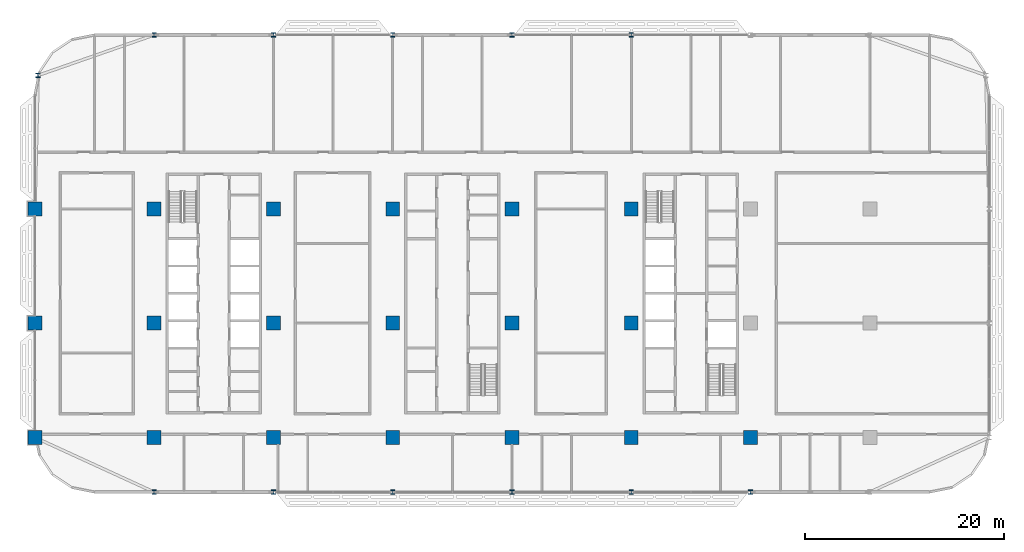
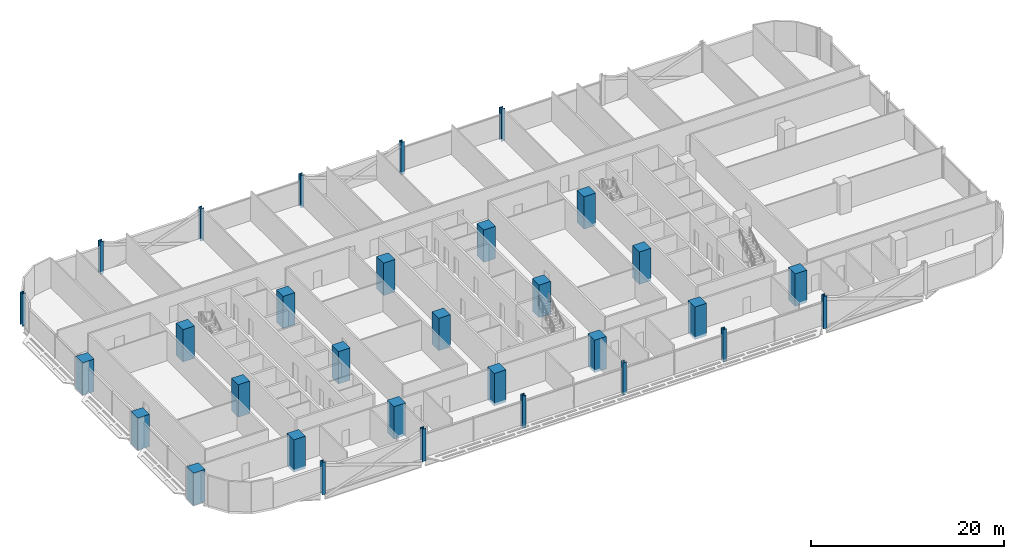
# One storey, part 1 of 29: 31 columns.
"""IFC4 building model written with IfcOpenShell, lengths in metres."""

from ifc_helpers import new_model, si_unit, direction, frame, origin, origin_2d, place, context, subcontext, project, spatial, rectangle, i_section, extrude, material, material_profile, profile_set, type_object, element, save


model = new_model("IFC4")

# Units and contexts
model_context = context("Model", 3, precision=1e-05, world=origin(), true_north=direction((0.0, 1.0)))
body_context = subcontext(model_context, "Body", "Model", "MODEL_VIEW")
ifc_project = project(units=[si_unit("LENGTHUNIT", "METRE"), si_unit("AREAUNIT", "SQUARE_METRE"), si_unit("VOLUMEUNIT", "CUBIC_METRE"), si_unit("PLANEANGLEUNIT", "RADIAN"), si_unit("MASSUNIT", "GRAM", prefix="KILO")], contexts=[model_context])

# Site, building, storey
site_placement = place(None, origin())
site = spatial("IfcSite", under=ifc_project, at=site_placement, CompositionType="ELEMENT")
building_placement = place(site_placement, origin())
building = spatial("IfcBuilding", under=site, at=building_placement, Name="Mahtab Terrace Research Tower", CompositionType="ELEMENT")
storey_placement = place(building_placement, frame((0.0, 0.0, 105.300048828125)))
storey = spatial("IfcBuildingStorey", under=building, at=storey_placement, Name="L24", CompositionType="ELEMENT", Elevation=105.300048828125)

# Columns
ifc_material_1 = material(Name="Concrete C70/85", Category="concrete")
ifc_material_profile_1 = material_profile(ifc_material_1, rectangle(XDim=1.39990234375, YDim=1.39990234375, at=origin_2d()), Name="RC column 1400x1400")
ifc_profile_set_1 = profile_set([ifc_material_profile_1], Name="Concrete C70/85")
column_type_1 = type_object("IfcColumnType", Name="RC column 1400x1400", PredefinedType="COLUMN", material=ifc_profile_set_1)
for number, where, z_axis, x_axis, name in (
    (1, (-42.0, -11.5, -0.340087890625), (0.0, 0.0, 1.0), (1.0, 0.0, 0.0), "Column RC-1A L24"),
    (2, (-42.0, 0.0, -0.340087890625), (0.0, 0.0, 1.0), (1.0, 0.0, 0.0), "Column RC-1B L24"),
    (3, (-42.0, 11.5, -0.340087890625), (0.0, 0.0, 1.0), (1.0, 0.0, 0.0), "Column RC-1C L24"),
    (4, (-30.0, -11.5, -0.340087890625), (0.0, 0.0, 1.0), (1.0, 0.0, 0.0), "Column RC-2A L24"),
    (5, (-30.0, 0.0, -0.340087890625), (0.0, 0.0, 1.0), (1.0, 0.0, 0.0), "Column RC-2B L24"),
    (6, (-30.0, 11.5, -0.340087890625), (0.0, 0.0, 1.0), (1.0, 0.0, 0.0), "Column RC-2C L24"),
    (7, (-18.0, -11.5, -0.340087890625), (0.0, 0.0, 1.0), (1.0, 0.0, 0.0), "Column RC-3A L24"),
    (8, (-18.0, 0.0, -0.340087890625), (0.0, 0.0, 1.0), (1.0, 0.0, 0.0), "Column RC-3B L24"),
    (9, (-18.0, 11.5, -0.340087890625), (0.0, 0.0, 1.0), (1.0, 0.0, 0.0), "Column RC-3C L24"),
    (10, (-6.0, -11.5, -0.340087890625), (0.0, 0.0, 1.0), (1.0, 0.0, 0.0), "Column RC-4A L24"),
    (11, (-6.0, 0.0, -0.340087890625), (0.0, 0.0, 1.0), (1.0, 0.0, 0.0), "Column RC-4B L24"),
    (12, (-6.0, 11.5, -0.340087890625), (0.0, 0.0, 1.0), (1.0, 0.0, 0.0), "Column RC-4C L24"),
    (13, (6.0, -11.5, -0.340087890625), (0.0, 0.0, 1.0), (1.0, 0.0, 0.0), "Column RC-5A L24"),
    (14, (6.0, 0.0, -0.340087890625), (0.0, 0.0, 1.0), (1.0, 0.0, 0.0), "Column RC-5B L24"),
    (15, (6.0, 11.5, -0.340087890625), (0.0, 0.0, 1.0), (1.0, 0.0, 0.0), "Column RC-5C L24"),
    (16, (18.0, -11.5, -0.340087890625), (0.0, 0.0, 1.0), (1.0, 0.0, 0.0), "Column RC-6A L24"),
    (17, (18.0, 0.0, -0.340087890625), (0.0, 0.0, 1.0), (1.0, 0.0, 0.0), "Column RC-6B L24"),
    (18, (18.0, 11.5, -0.340087890625), (0.0, 0.0, 1.0), (1.0, 0.0, 0.0), "Column RC-6C L24"),
    (19, (30.0, -11.5, -0.340087890625), (0.0, 0.0, 1.0), (1.0, 0.0, 0.0), "Column RC-7A L24"),
):
    element("IfcColumn", number, at=place(storey_placement, frame(where, z_axis=z_axis, x_axis=x_axis)), inside=storey, type_object=column_type_1, Name=name, PredefinedType="COLUMN", context=body_context, shape_type="SweptSolid", body=[
        extrude(rectangle(XDim=1.39990234375, YDim=1.39990234375, at=origin_2d()), origin(), (0.0, 0.0, 1.0), 4.10009765625),
    ])
ifc_material_2 = material(Name="Steel ASTM A992 Gr 50", Category="steel")
ifc_material_profile_2 = material_profile(ifc_material_2, i_section(OverallWidth=0.419189453125, OverallDepth=0.45458984375, WebThickness=0.042236328125, FlangeThickness=0.067626953125, at=origin_2d()), Name="W14X370")
ifc_profile_set_2 = profile_set([ifc_material_profile_2], Name="Steel ASTM A992 Gr 50")
column_type_2 = type_object("IfcColumnType", Name="W14x370 column CS14370", PredefinedType="COLUMN", material=ifc_profile_set_2)
for number, where, z_axis, x_axis, name in (
    (20, (18.0, 29.0, -0.340087890625), (0.0, 0.0, 1.0), (1.0, 0.0, 0.0), "Column SC-033 L24"),
    (21, (6.0, 29.0, -0.340087890625), (0.0, 0.0, 1.0), (1.0, 0.0, 0.0), "Column SC-034 L24"),
    (22, (-6.0, 29.0, -0.340087890625), (0.0, 0.0, 1.0), (1.0, 0.0, 0.0), "Column SC-035 L24"),
    (23, (-18.0, 29.0, -0.340087890625), (0.0, 0.0, 1.0), (1.0, 0.0, 0.0), "Column SC-036 L24"),
    (24, (-30.0, 29.0, -0.340087890625), (0.0, 0.0, 1.0), (1.0, 0.0, 0.0), "Column SC-037 L24"),
    (25, (-41.681884765625, 24.927001953125, -0.340087890625), (0.0, 0.0, 1.0), (1.0, 0.0, 0.0), "Column SC-038 L24"),
    (26, (-30.0, -17.0, -0.340087890625), (0.0, 0.0, 1.0), (1.0, 0.0, 0.0), "Column SC-039 L24"),
    (27, (-18.0, -17.0, -0.340087890625), (0.0, 0.0, 1.0), (1.0, 0.0, 0.0), "Column SC-040 L24"),
    (28, (-6.0, -17.0, -0.340087890625), (0.0, 0.0, 1.0), (1.0, 0.0, 0.0), "Column SC-041 L24"),
    (29, (6.0, -17.0, -0.340087890625), (0.0, 0.0, 1.0), (1.0, 0.0, 0.0), "Column SC-042 L24"),
    (30, (18.0, -17.0, -0.340087890625), (0.0, 0.0, 1.0), (1.0, 0.0, 0.0), "Column SC-043 L24"),
    (31, (30.0, -17.0, -0.340087890625), (0.0, 0.0, 1.0), (1.0, 0.0, 0.0), "Column SC-044 L24"),
):
    element("IfcColumn", number, at=place(storey_placement, frame(where, z_axis=z_axis, x_axis=x_axis)), inside=storey, type_object=column_type_2, Name=name, PredefinedType="COLUMN", context=body_context, shape_type="SweptSolid", body=[
        extrude(i_section(OverallWidth=0.419189453125, OverallDepth=0.45458984375, WebThickness=0.042236328125, FlangeThickness=0.067626953125, at=origin_2d()), origin(), (0.0, 0.0, 1.0), 4.10009765625),
    ])

save(model, "model.ifc")
